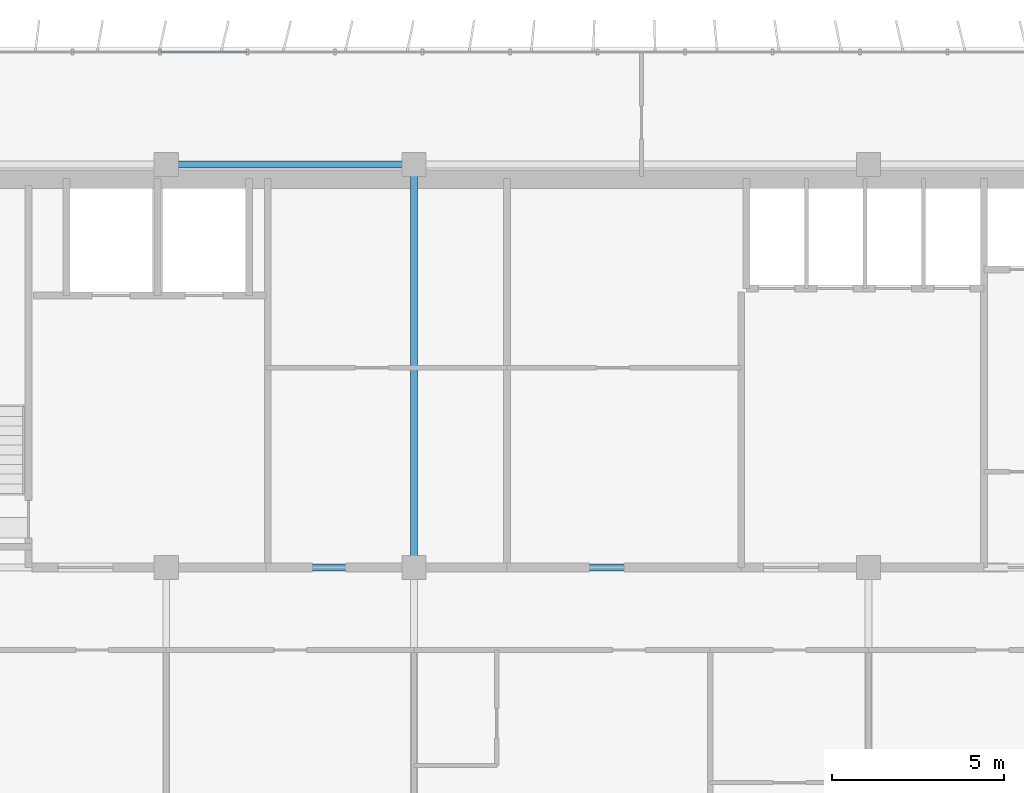
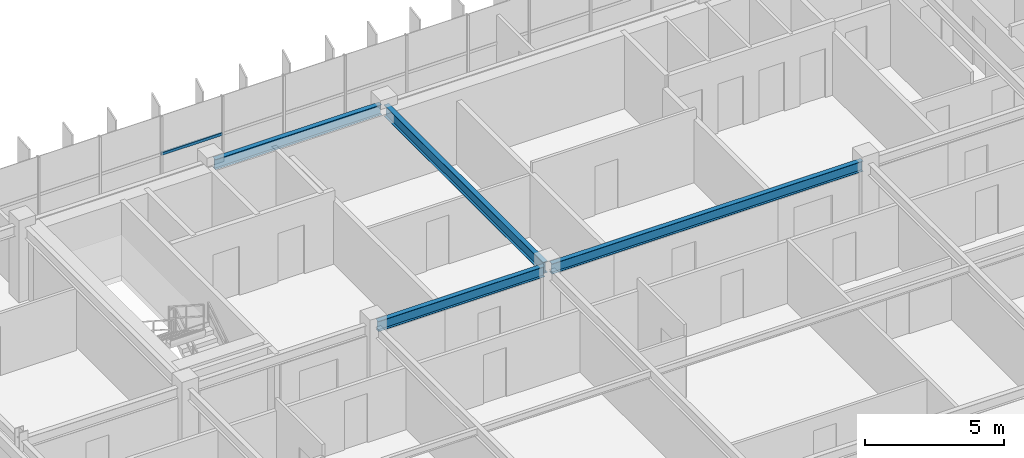
# One storey, part 11 of 27: 4 beams, 1 member, 1 element without a shape of its own.
"""IFC4 building model written with IfcOpenShell, lengths in metres."""

from ifc_helpers import new_model, si_unit, direction, frame, origin, origin_2d, place, context, subcontext, project, spatial, hollow_rectangle, i_section, extrude, source, transform, mapped, material, material_profile, profile_set, type_object, element, aggregate, save


model = new_model("IFC4")

# Units and contexts
model_context = context("Model", 3, precision=1e-05, world=origin(), true_north=direction((0.0, 1.0)))
body_context = subcontext(model_context, "Body", "Model", "MODEL_VIEW")
ifc_project = project(units=[si_unit("LENGTHUNIT", "METRE"), si_unit("AREAUNIT", "SQUARE_METRE"), si_unit("VOLUMEUNIT", "CUBIC_METRE"), si_unit("PLANEANGLEUNIT", "RADIAN"), si_unit("MASSUNIT", "GRAM", prefix="KILO")], contexts=[model_context])

# Site, building, storey
site_placement = place(None, origin())
site = spatial("IfcSite", under=ifc_project, at=site_placement, CompositionType="ELEMENT")
building_placement = place(site_placement, origin())
building = spatial("IfcBuilding", under=site, at=building_placement, Name="Trelvane Seafront Commons", CompositionType="ELEMENT")
storey_placement = place(building_placement, frame((0.0, 0.0, 237.300048828125)))
storey = spatial("IfcBuildingStorey", under=building, at=storey_placement, Name="L62", CompositionType="ELEMENT", Elevation=237.300048828125)

# Beams
ifc_material_1 = material(Name="Steel SM355 (S355)", Category="steel")
ifc_material_profile_1 = material_profile(ifc_material_1, i_section(OverallWidth=0.199951171875, OverallDepth=0.5, WebThickness=0.010009765625, FlangeThickness=0.01611328125, at=origin_2d()), Name="H-500x200x10x16")
ifc_profile_set_1 = profile_set([ifc_material_profile_1], Name="Steel SM355 (S355)")
beam_type_1 = type_object("IfcBeamType", Name="STR-BM-H500", PredefinedType="BEAM", material=ifc_profile_set_1)
shared_shape_1 = source(origin(), body_context, "Body", "SweptSolid", [
    extrude(i_section(OverallWidth=0.199951171875, OverallDepth=0.5, WebThickness=0.010009765625, FlangeThickness=0.01611328125, at=origin_2d()), origin(), (0.0, 0.0, 1.0), 11.39990234375),
])
beam_1_placement = place(storey_placement, frame((30.60009765625, 33.550048828125, 2.969970703125), z_axis=(0.0, 1.0, 0.0), x_axis=(-1.0, 0.0, 0.0)))
element("IfcBeam", 1, at=beam_1_placement, inside=storey, type_object=beam_type_1, Name="L62 Primary Girder G-40", PredefinedType="BEAM", context=body_context, shape_type="MappedRepresentation", body=[
    mapped(shared_shape_1, transform((0.0, 0.0, 0.0), x_axis=(1.0, 0.0, 0.0), y_axis=(0.0, 1.0, 0.0), z_axis=(0.0, 0.0, 1.0), scale=1.0)),
])
ifc_material_profile_2 = material_profile(ifc_material_1, i_section(OverallWidth=0.199951171875, OverallDepth=0.449951171875, WebThickness=0.009033203125, FlangeThickness=0.013916015625, at=origin_2d()), Name="H-450x200x9x14")
ifc_profile_set_2 = profile_set([ifc_material_profile_2], Name="Steel SM355 (S355)")
beam_type_2 = type_object("IfcBeamType", Name="STR-SPD-H450", PredefinedType="SPANDREL", material=ifc_profile_set_2)
shared_shape_2 = source(origin(), body_context, "Body", "SweptSolid", [
    extrude(i_section(OverallWidth=0.199951171875, OverallDepth=0.449951171875, WebThickness=0.009033203125, FlangeThickness=0.013916015625, at=origin_2d()), origin(), (0.0, 0.0, 1.0), 6.89990234375),
])
for number, where, z_axis, x_axis, name in (
    (2, (23.550048828125, 33.39990234375, 2.994873046875), (1.0, 0.0, 0.0), (0.0, 1.0, 0.0), "L62 Primary Girder G-17"),
    (3, (23.550048828125, 45.10009765625, 2.994873046875), (1.0, 0.0, 0.0), (0.0, 1.0, 0.0), "L62 Primary Girder G-24"),
):
    element("IfcBeam", number, at=place(storey_placement, frame(where, z_axis=z_axis, x_axis=x_axis)), inside=storey, type_object=beam_type_2, Name=name, PredefinedType="SPANDREL", context=body_context, shape_type="MappedRepresentation", body=[
        mapped(shared_shape_2, transform((0.0, 0.0, 0.0), x_axis=(1.0, 0.0, 0.0), y_axis=(0.0, 1.0, 0.0), z_axis=(0.0, 0.0, 1.0), scale=1.0)),
    ])
shared_shape_3 = source(origin(), body_context, "Body", "SweptSolid", [
    extrude(i_section(OverallWidth=0.199951171875, OverallDepth=0.449951171875, WebThickness=0.009033203125, FlangeThickness=0.013916015625, at=origin_2d()), origin(), (0.0, 0.0, 1.0), 12.89990234375),
])
beam_2_placement = place(storey_placement, frame((30.75, 33.39990234375, 2.994873046875), z_axis=(1.0, 0.0, 0.0), x_axis=(0.0, 1.0, 0.0)))
element("IfcBeam", 4, at=beam_2_placement, inside=storey, type_object=beam_type_2, Name="L62 Primary Girder G-18", PredefinedType="SPANDREL", context=body_context, shape_type="MappedRepresentation", body=[
    mapped(shared_shape_3, transform((0.0, 0.0, 0.0), x_axis=(1.0, 0.0, 0.0), y_axis=(0.0, 1.0, 0.0), z_axis=(0.0, 0.0, 1.0), scale=1.0)),
])

# Curtain wall, member
ifc_material_2 = material(Name="Anodised pale-silver aluminium", Category="aluminium")
curtain_wall_type = type_object("IfcCurtainWallType", Name="ARCH-CW5-UPTOWER", PredefinedType="NOTDEFINED", material=ifc_material_2)
curtain_wall_placement = place(storey_placement, origin())
curtain_wall = element("IfcCurtainWall", 5, at=curtain_wall_placement, inside=storey, type_object=curtain_wall_type, Name="CW-L62-0106", PredefinedType="NOTDEFINED")
ifc_material_profile_3 = material_profile(ifc_material_2, hollow_rectangle(XDim=0.070068359375, YDim=0.1201171875, WallThickness=0.00390625, at=origin_2d()), Name="TRAN-70x120x4")
ifc_profile_set_3 = profile_set([ifc_material_profile_3], Name="Anodised pale-silver aluminium")
member_type = type_object("IfcMemberType", Name="ARCH-CW-TRAN-120", PredefinedType="USERDEFINED", material=ifc_profile_set_3)
shared_shape_4 = source(origin(), body_context, "Body", "SweptSolid", [
    extrude(hollow_rectangle(XDim=0.070068359375, YDim=0.1201171875, WallThickness=0.00390625, at=origin_2d()), origin(), (0.0, 0.0, 1.0), 2.51708984375),
])
member_placement = place(storey_placement, frame((23.235595703125, 48.3701171875, 1.5458984375), z_axis=(1.0, 0.0, 0.0), x_axis=(0.0, 1.0, 0.0)))
member = element("IfcMember", 6, at=member_placement, type_object=member_type, Name="CW-L62-0106-T03", ObjectType="TRANSOM", PredefinedType="USERDEFINED", context=body_context, shape_type="MappedRepresentation", body=[
    mapped(shared_shape_4, transform((0.0, 0.0, 0.0), x_axis=(1.0, 0.0, 0.0), y_axis=(0.0, 1.0, 0.0), z_axis=(0.0, 0.0, 1.0), scale=1.0)),
])
aggregate(curtain_wall, [member])

save(model, "model.ifc")
